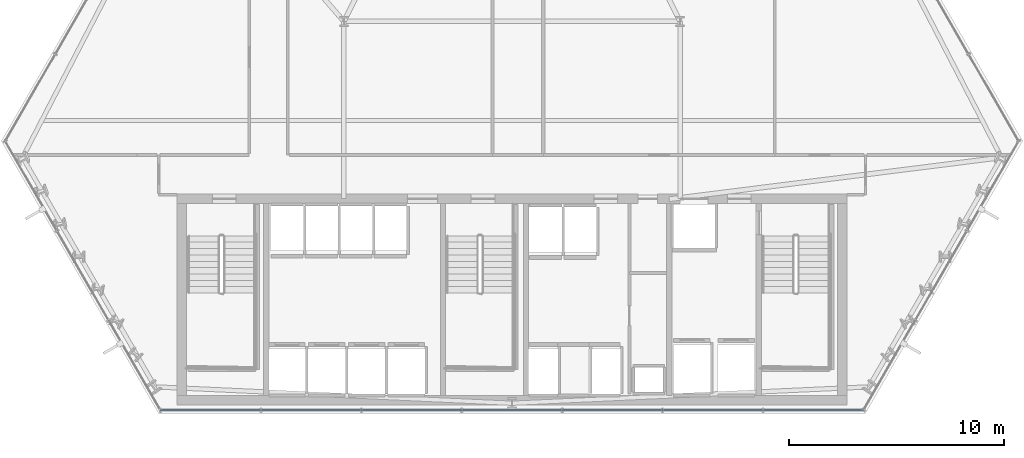
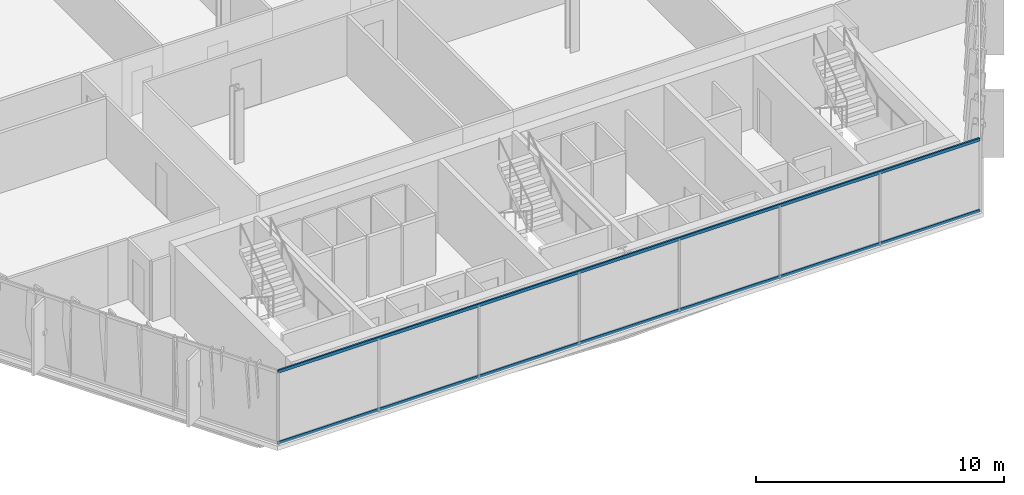
# One storey, part 8 of 33: 2 members, 1 element without a shape of its own.
"""IFC4 building model written with IfcOpenShell, lengths in metres."""

from ifc_helpers import new_model, si_unit, direction, frame, origin, origin_2d, place, context, subcontext, project, spatial, hollow_rectangle, extrude, material, layer, layer_set, material_profile, profile_set, type_object, element, aggregate, save


model = new_model("IFC4")

# Units and contexts
model_context = context("Model", 3, precision=1e-05, world=origin(), true_north=direction((0.0, 1.0)))
body_context = subcontext(model_context, "Body", "Model", "MODEL_VIEW")
ifc_project = project(units=[si_unit("LENGTHUNIT", "METRE"), si_unit("AREAUNIT", "SQUARE_METRE"), si_unit("VOLUMEUNIT", "CUBIC_METRE"), si_unit("PLANEANGLEUNIT", "RADIAN"), si_unit("MASSUNIT", "GRAM", prefix="KILO")], contexts=[model_context])

# Site, building, storey
site_placement = place(None, origin())
site = spatial("IfcSite", under=ifc_project, at=site_placement, CompositionType="ELEMENT")
building_placement = place(site_placement, origin())
building = spatial("IfcBuilding", under=site, at=building_placement, Name="Ndaravel Arena Tower", CompositionType="ELEMENT")
storey_placement = place(building_placement, frame((0.0, 0.0, 89.199951171875)))
storey = spatial("IfcBuildingStorey", under=building, at=storey_placement, Name="L20", CompositionType="ELEMENT", Elevation=89.199951171875)

# Curtain wall, members
ifc_material_1 = material(Name="Aluminium", Category="aluminium")
ifc_layer = layer(ifc_material_1, 0.179931640625)
ifc_layer_set = layer_set([ifc_layer], Name="Aluminium")
curtain_wall_type = type_object("IfcCurtainWallType", Name="CW-SYS-03", PredefinedType="NOTDEFINED", material=ifc_layer_set)
curtain_wall_placement = place(storey_placement, origin())
curtain_wall = element("IfcCurtainWall", 1, at=curtain_wall_placement, inside=storey, type_object=curtain_wall_type, Name="L20 Faceted Crystal Curtain Wall CW-L20-E01", PredefinedType="NOTDEFINED")
ifc_material_2 = material(Name="Aluminium", Category="aluminium")
ifc_material_profile = material_profile(ifc_material_2, hollow_rectangle(XDim=0.074951171875, YDim=0.14990234375, WallThickness=0.00390625, at=origin_2d()), Name="CW TRANSOM 75x150x4")
ifc_profile_set = profile_set([ifc_material_profile], Name="Aluminium")
member_type = type_object("IfcMemberType", Name="MEM-CW-TRN150", PredefinedType="USERDEFINED", material=ifc_profile_set)
member_1_placement = place(storey_placement, frame((25.691162109375, 5.159912109375, 0.0400390625), z_axis=(1.0, 0.0, 0.0), x_axis=(0.0, 1.0, 0.0)))
member_1 = element("IfcMember", 2, at=member_1_placement, type_object=member_type, Name="CW-L20-E01 Transom 01", ObjectType="TRANSOM", PredefinedType="USERDEFINED", context=body_context, shape_type="SweptSolid", body=[
    extrude(hollow_rectangle(XDim=0.074951171875, YDim=0.14990234375, WallThickness=0.00390625, at=origin_2d()), origin(), (0.0, 0.0, 1.0), 32.61767578125),
])
member_2_placement = place(storey_placement, frame((25.691162109375, 5.159912109375, 3.5400390625), z_axis=(1.0, 0.0, 0.0), x_axis=(0.0, 1.0, 0.0)))
member_2 = element("IfcMember", 3, at=member_2_placement, type_object=member_type, Name="CW-L20-E01 Transom 02", ObjectType="TRANSOM", PredefinedType="USERDEFINED", context=body_context, shape_type="SweptSolid", body=[
    extrude(hollow_rectangle(XDim=0.074951171875, YDim=0.14990234375, WallThickness=0.00390625, at=origin_2d()), origin(), (0.0, 0.0, 1.0), 32.61767578125),
])
aggregate(curtain_wall, [member_1, member_2])

save(model, "model.ifc")
